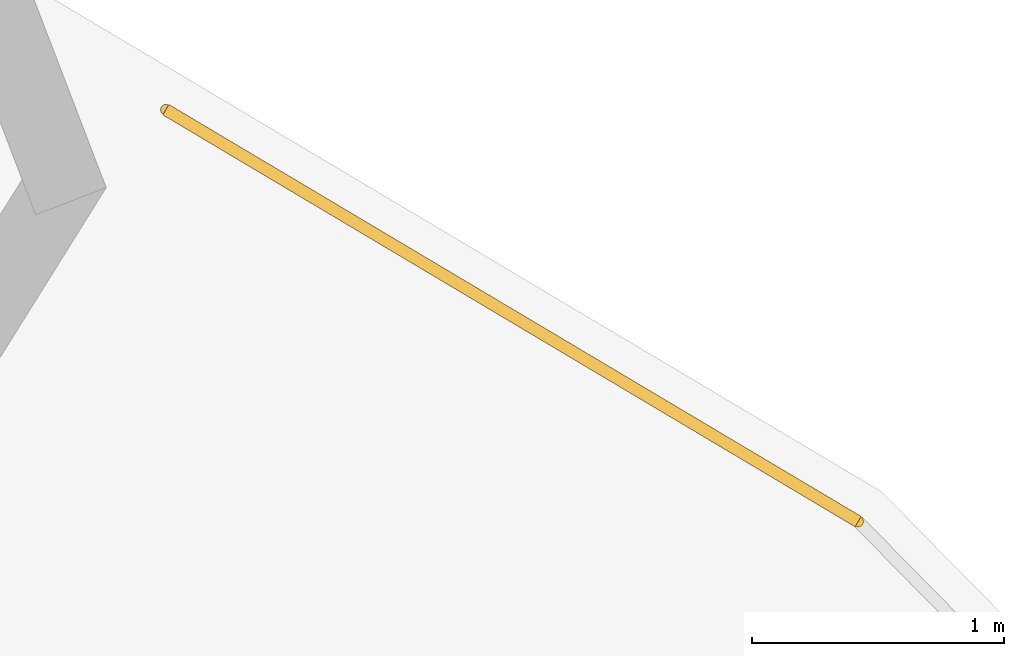
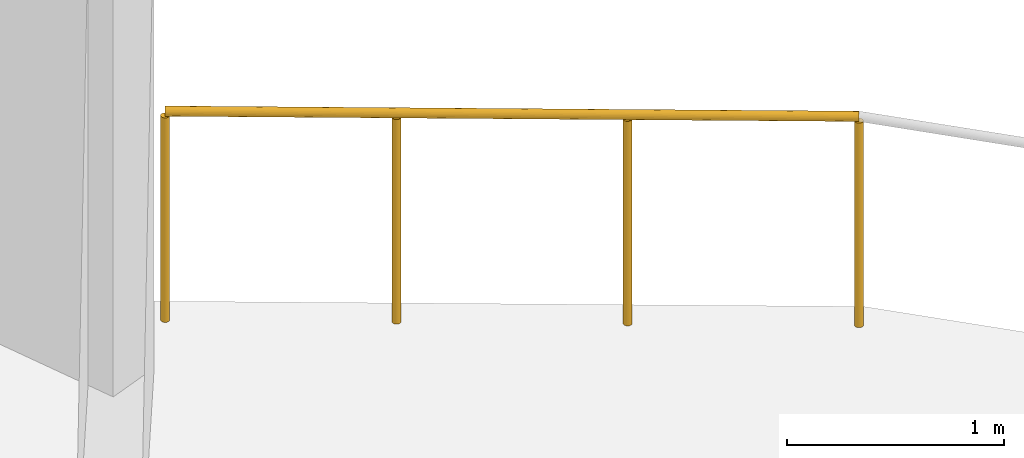
# One storey, part 11 of 12: 1 railing.
"""IFC4 building model written with IfcOpenShell, lengths in metres."""

from ifc_helpers import new_model, si_unit, direction, frame, origin, origin_2d, place, context, subcontext, project, spatial, circle, extrude, material, type_object, element, save


model = new_model("IFC4")

# Units and contexts
model_context = context("Model", 3, precision=1e-05, world=origin(), true_north=direction((0.0, 1.0)))
body_context = subcontext(model_context, "Body", "Model", "MODEL_VIEW")
ifc_project = project(units=[si_unit("LENGTHUNIT", "METRE"), si_unit("AREAUNIT", "SQUARE_METRE"), si_unit("VOLUMEUNIT", "CUBIC_METRE"), si_unit("PLANEANGLEUNIT", "RADIAN"), si_unit("MASSUNIT", "GRAM", prefix="KILO")], contexts=[model_context])

# Site, building, storey
site_placement = place(None, origin())
site = spatial("IfcSite", under=ifc_project, at=site_placement, CompositionType="ELEMENT")
building_placement = place(site_placement, origin())
building = spatial("IfcBuilding", under=site, at=building_placement, Name="Binnacle Exchange Tower", CompositionType="ELEMENT")
storey_placement = place(building_placement, frame((0.0, 0.0, 154.89990234375)))
storey = spatial("IfcBuildingStorey", under=building, at=storey_placement, Name="L32", CompositionType="ELEMENT", Elevation=154.89990234375)

# Railing
ifc_material = material(Name="Bronze anodised aluminium frame", Category="aluminium")
railing_type = type_object("IfcRailingType", Name="GUARD 1200", PredefinedType="GUARDRAIL", material=ifc_material)
railing_placement = place(storey_placement, frame((40.513916015625, 58.444091796875, 0.0)))
element("IfcRailing", 1, at=railing_placement, inside=storey, type_object=railing_type, Name="Terrace guard 7 Terrace T3", PredefinedType="GUARDRAIL", context=body_context, shape_type="SweptSolid", body=[
    extrude(circle(Radius=0.02392578125, at=origin_2d()), frame((0.0, 0.0, 1.17578125), z_axis=(-0.859378277513, 0.5113403721, 0.0), x_axis=(-0.5113403721, -0.859378277513, 0.0)), (0.0, 0.0, 1.0), 3.200927734375),
    extrude(circle(Radius=0.02099609375, at=origin_2d()), origin(), (0.0, 0.0, 1.0), 1.15185546875),
    extrude(circle(Radius=0.02099609375, at=origin_2d()), frame((-0.9169921875, 0.545654296875, 0.0)), (0.0, 0.0, 1.0), 1.15185546875),
    extrude(circle(Radius=0.02099609375, at=origin_2d()), frame((-1.833740234375, 1.091064453125, 0.0)), (0.0, 0.0, 1.0), 1.15185546875),
    extrude(circle(Radius=0.02099609375, at=origin_2d()), frame((-2.750732421875, 1.63671875, 0.0)), (0.0, 0.0, 1.0), 1.15185546875),
])

save(model, "model.ifc")
